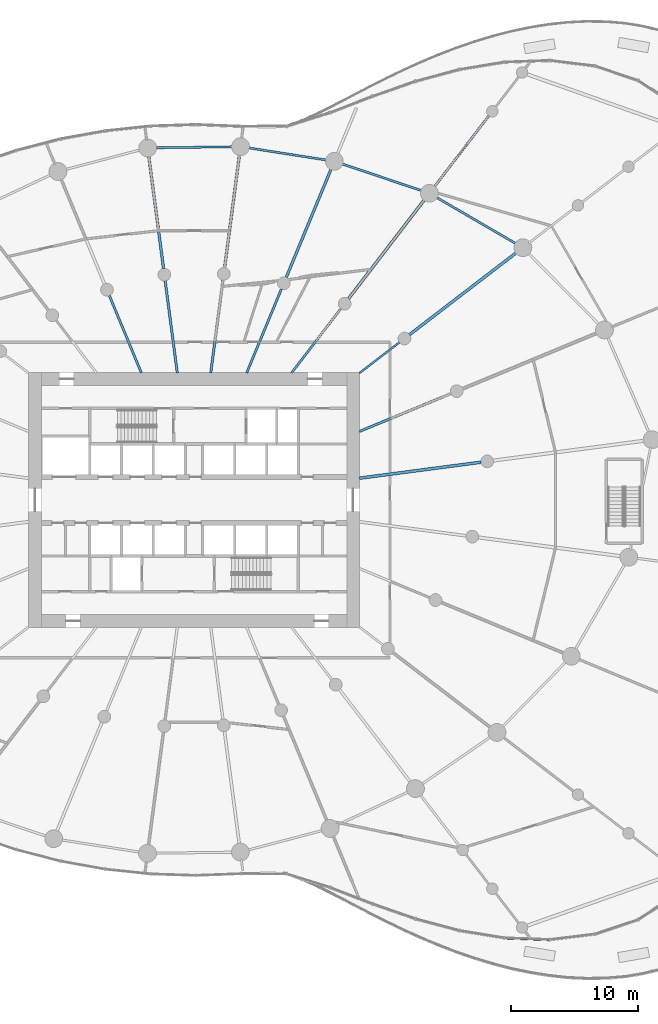
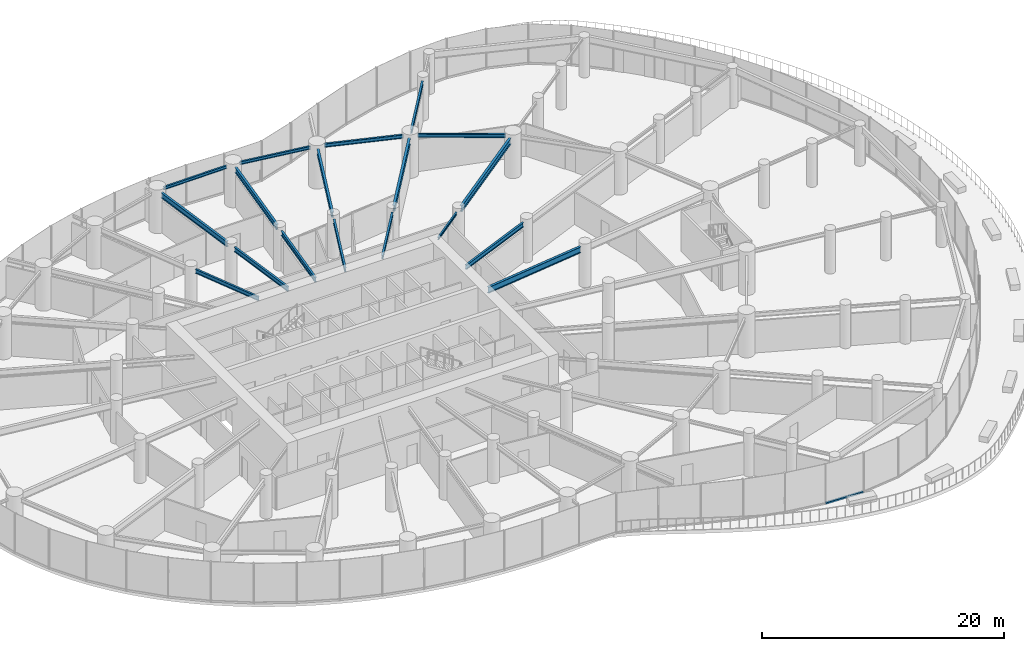
# One storey, part 6 of 24: 18 beams, 1 member, 1 element without a shape of its own.
"""IFC4 building model written with IfcOpenShell, lengths in metres."""

from ifc_helpers import new_model, si_unit, direction, frame, origin, origin_2d, place, context, subcontext, project, spatial, rectangle, i_section, extrude, source, transform, mapped, material, layer, layer_set, material_profile, profile_set, type_object, element, aggregate, save


model = new_model("IFC4")

# Units and contexts
model_context = context("Model", 3, precision=1e-05, world=origin(), true_north=direction((0.0, 1.0)))
body_context = subcontext(model_context, "Body", "Model", "MODEL_VIEW")
ifc_project = project(units=[si_unit("LENGTHUNIT", "METRE"), si_unit("AREAUNIT", "SQUARE_METRE"), si_unit("VOLUMEUNIT", "CUBIC_METRE"), si_unit("PLANEANGLEUNIT", "RADIAN"), si_unit("MASSUNIT", "GRAM", prefix="KILO")], contexts=[model_context])

# Site, building, storey
site_placement = place(None, origin())
site = spatial("IfcSite", under=ifc_project, at=site_placement, CompositionType="ELEMENT")
building_placement = place(site_placement, origin())
building = spatial("IfcBuilding", under=site, at=building_placement, Name="Spindrift Exchange Tower", CompositionType="ELEMENT")
storey_placement = place(building_placement, frame((0.0, 0.0, 5.0)))
storey = spatial("IfcBuildingStorey", under=building, at=storey_placement, Name="L01", CompositionType="ELEMENT", Elevation=5.0)

# Beams
ifc_material_1 = material(Name="Steel Grade 300", Category="steel")
ifc_material_profile_1 = material_profile(ifc_material_1, i_section(OverallWidth=0.22802734375, OverallDepth=0.60693359375, WebThickness=0.01123046875, FlangeThickness=0.017333984375, FilletRadius=0.013916015625, at=origin_2d()), Name="610UB113")
ifc_profile_set_1 = profile_set([ifc_material_profile_1], Name="Steel Grade 300")
beam_type_1 = type_object("IfcBeamType", Name="Floor Beam 610UB113 Steel Grade 300", PredefinedType="BEAM", material=ifc_profile_set_1)
shared_shape_1 = source(origin(), body_context, "Body", "SweptSolid", [
    extrude(i_section(OverallWidth=0.22802734375, OverallDepth=0.60693359375, WebThickness=0.01123046875, FlangeThickness=0.017333984375, FilletRadius=0.013916015625, at=origin_2d()), origin(), (0.0, 0.0, 1.0), 9.660400390625),
])
beam_1_placement = place(storey_placement, frame((64.980224609375, 49.708984375, 3.74658203125), z_axis=(0.99144767089, 0.130504850054, 0.0), x_axis=(-0.130504850054, 0.99144767089, 0.0)))
element("IfcBeam", 1, at=beam_1_placement, inside=storey, type_object=beam_type_1, Name="L01 radial beam R01A", PredefinedType="BEAM", context=body_context, shape_type="MappedRepresentation", body=[
    mapped(shared_shape_1, transform((0.0, 0.0, 0.0), scale=1.0)),
])
ifc_material_profile_2 = material_profile(ifc_material_1, i_section(OverallWidth=0.18994140625, OverallDepth=0.45703125, WebThickness=0.009033203125, FlangeThickness=0.014404296875, FilletRadius=0.013916015625, at=origin_2d()), Name="460UB74.6")
ifc_profile_set_2 = profile_set([ifc_material_profile_2], Name="Steel Grade 300")
beam_type_2 = type_object("IfcBeamType", Name="Floor Beam 460UB74.6 Steel Grade 300", PredefinedType="BEAM", material=ifc_profile_set_2)
shared_shape_2 = source(origin(), body_context, "Body", "SweptSolid", [
    extrude(i_section(OverallWidth=0.18994140625, OverallDepth=0.45703125, WebThickness=0.009033203125, FlangeThickness=0.014404296875, FilletRadius=0.013916015625, at=origin_2d()), origin(), (0.0, 0.0, 1.0), 7.808837890625),
])
beam_2_placement = place(storey_placement, frame((64.9814453125, 53.377197265625, 3.821533203125), z_axis=(0.92387965154, 0.382683145003, 0.0), x_axis=(-0.382683145003, 0.92387965154, 0.0)))
element("IfcBeam", 2, at=beam_2_placement, inside=storey, type_object=beam_type_2, Name="L01 radial beam R02A", PredefinedType="BEAM", context=body_context, shape_type="MappedRepresentation", body=[
    mapped(shared_shape_2, transform((0.0, 0.0, 0.0), scale=1.0)),
])
ifc_material_profile_3 = material_profile(ifc_material_1, i_section(OverallWidth=0.14599609375, OverallDepth=0.251953125, WebThickness=0.006103515625, FlangeThickness=0.008544921875, FilletRadius=0.011962890625, at=origin_2d()), Name="250UB31.4")
ifc_profile_set_3 = profile_set([ifc_material_profile_3], Name="Steel Grade 300")
beam_type_3 = type_object("IfcBeamType", Name="Floor Beam 250UB31.4 Steel Grade 300", PredefinedType="BEAM", material=ifc_profile_set_3)
shared_shape_3 = source(origin(), body_context, "Body", "SweptSolid", [
    extrude(i_section(OverallWidth=0.14599609375, OverallDepth=0.251953125, WebThickness=0.006103515625, FlangeThickness=0.008544921875, FilletRadius=0.011962890625, at=origin_2d()), origin(), (0.0, 0.0, 1.0), 3.99560546875),
])
beam_3_placement = place(storey_placement, frame((64.984130859375, 57.963134765625, 3.924072265625), z_axis=(0.793352561574, 0.608762443851, 0.0), x_axis=(-0.608762443851, 0.793352561574, 0.0)))
element("IfcBeam", 3, at=beam_3_placement, inside=storey, type_object=beam_type_3, Name="L01 radial beam R03A", PredefinedType="BEAM", context=body_context, shape_type="MappedRepresentation", body=[
    mapped(shared_shape_3, transform((0.0, 0.0, 0.0), scale=1.0)),
])
shared_shape_4 = source(origin(), body_context, "Body", "SweptSolid", [
    extrude(i_section(OverallWidth=0.22802734375, OverallDepth=0.60693359375, WebThickness=0.01123046875, FlangeThickness=0.017333984375, FilletRadius=0.013916015625, at=origin_2d()), origin(), (0.0, 0.0, 1.0), 10.66357421875),
])
beam_4_placement = place(storey_placement, frame((68.91552734375, 60.979736328125, 3.74658203125), z_axis=(0.793357926757, 0.608755451764, 0.0), x_axis=(-0.608755451764, 0.793357926757, 0.0)))
element("IfcBeam", 4, at=beam_4_placement, inside=storey, type_object=beam_type_1, Name="L01 radial beam R03B", PredefinedType="BEAM", context=body_context, shape_type="MappedRepresentation", body=[
    mapped(shared_shape_4, transform((0.0, 0.0, 0.0), scale=1.0)),
])
ifc_material_profile_4 = material_profile(ifc_material_1, i_section(OverallWidth=0.172119140625, OverallDepth=0.35888671875, WebThickness=0.008056640625, FlangeThickness=0.012939453125, FilletRadius=0.013916015625, at=origin_2d()), Name="360UB56.7")
ifc_profile_set_4 = profile_set([ifc_material_profile_4], Name="Steel Grade 300")
beam_type_4 = type_object("IfcBeamType", Name="Floor Beam 360UB56.7 Steel Grade 300", PredefinedType="BEAM", material=ifc_profile_set_4)
shared_shape_5 = source(origin(), body_context, "Body", "SweptSolid", [
    extrude(i_section(OverallWidth=0.172119140625, OverallDepth=0.35888671875, WebThickness=0.008056640625, FlangeThickness=0.012939453125, FilletRadius=0.013916015625, at=origin_2d()), origin(), (0.0, 0.0, 1.0), 6.37646484375),
])
beam_5_placement = place(storey_placement, frame((59.6611328125, 57.984130859375, 3.87060546875), z_axis=(0.608766669952, 0.793349318747, 0.0), x_axis=(-0.793349318747, 0.608766669952, 0.0)))
element("IfcBeam", 5, at=beam_5_placement, inside=storey, type_object=beam_type_4, Name="L01 radial beam R04A", PredefinedType="BEAM", context=body_context, shape_type="MappedRepresentation", body=[
    mapped(shared_shape_5, transform((0.0, 0.0, 0.0), scale=1.0)),
])
shared_shape_6 = source(origin(), body_context, "Body", "SweptSolid", [
    extrude(i_section(OverallWidth=0.22802734375, OverallDepth=0.60693359375, WebThickness=0.01123046875, FlangeThickness=0.017333984375, FilletRadius=0.013916015625, at=origin_2d()), origin(), (0.0, 0.0, 1.0), 9.87548828125),
])
beam_6_placement = place(storey_placement, frame((64.127197265625, 63.8046875, 3.74658203125), z_axis=(0.608772470836, 0.793344867477, 0.0), x_axis=(-0.793344867477, 0.608772470836, 0.0)))
element("IfcBeam", 6, at=beam_6_placement, inside=storey, type_object=beam_type_1, Name="L01 radial beam R04B", PredefinedType="BEAM", context=body_context, shape_type="MappedRepresentation", body=[
    mapped(shared_shape_6, transform((0.0, 0.0, 0.0), scale=1.0)),
])
ifc_material_profile_5 = material_profile(ifc_material_1, i_section(OverallWidth=0.177978515625, OverallDepth=0.406005859375, WebThickness=0.0078125, FlangeThickness=0.0126953125, FilletRadius=0.013916015625, at=origin_2d()), Name="410UB59.7")
ifc_profile_set_5 = profile_set([ifc_material_profile_5], Name="Steel Grade 300")
beam_type_5 = type_object("IfcBeamType", Name="Floor Beam 410UB59.7 Steel Grade 300", PredefinedType="BEAM", material=ifc_profile_set_5)
shared_shape_7 = source(origin(), body_context, "Body", "SweptSolid", [
    extrude(i_section(OverallWidth=0.177978515625, OverallDepth=0.406005859375, WebThickness=0.0078125, FlangeThickness=0.0126953125, FilletRadius=0.013916015625, at=origin_2d()), origin(), (0.0, 0.0, 1.0), 7.111328125),
])
beam_7_placement = place(storey_placement, frame((70.845458984375, 72.559814453125, 3.846923828125), z_axis=(0.608757985395, 0.793355982657, 0.0), x_axis=(-0.793355982657, 0.608757985395, 0.0)))
element("IfcBeam", 7, at=beam_7_placement, inside=storey, type_object=beam_type_5, Name="L01 radial beam R04C1", PredefinedType="BEAM", context=body_context, shape_type="MappedRepresentation", body=[
    mapped(shared_shape_7, transform((0.0, 0.0, 0.0), scale=1.0)),
])
shared_shape_8 = source(origin(), body_context, "Body", "SweptSolid", [
    extrude(i_section(OverallWidth=0.177978515625, OverallDepth=0.406005859375, WebThickness=0.0078125, FlangeThickness=0.0126953125, FilletRadius=0.013916015625, at=origin_2d()), origin(), (0.0, 0.0, 1.0), 7.150634765625),
])
beam_8_placement = place(storey_placement, frame((56.134521484375, 57.9814453125, 3.846923828125), z_axis=(0.382665393358, 0.923887004306, 0.0), x_axis=(-0.923887004306, 0.382665393358, 0.0)))
element("IfcBeam", 8, at=beam_8_placement, inside=storey, type_object=beam_type_5, Name="L01 radial beam R05A", PredefinedType="BEAM", context=body_context, shape_type="MappedRepresentation", body=[
    mapped(shared_shape_8, transform((0.0, 0.0, 0.0), scale=1.0)),
])
ifc_material_profile_6 = material_profile(ifc_material_1, i_section(OverallWidth=0.208984375, OverallDepth=0.532958984375, WebThickness=0.01025390625, FlangeThickness=0.015625, FilletRadius=0.013916015625, at=origin_2d()), Name="530UB92.4")
ifc_profile_set_6 = profile_set([ifc_material_profile_6], Name="Steel Grade 300")
beam_type_6 = type_object("IfcBeamType", Name="Floor Beam 530UB92.4 Steel Grade 300", PredefinedType="BEAM", material=ifc_profile_set_6)
shared_shape_9 = source(origin(), body_context, "Body", "SweptSolid", [
    extrude(i_section(OverallWidth=0.208984375, OverallDepth=0.532958984375, WebThickness=0.01025390625, FlangeThickness=0.015625, FilletRadius=0.013916015625, at=origin_2d()), origin(), (0.0, 0.0, 1.0), 9.309326171875),
])
beam_9_placement = place(storey_placement, frame((59.23828125, 65.474853515625, 3.783447265625), z_axis=(0.382685326691, 0.923878747853, 0.0), x_axis=(-0.923878747853, 0.382685326691, 0.0)))
element("IfcBeam", 9, at=beam_9_placement, inside=storey, type_object=beam_type_6, Name="L01 radial beam R05B", PredefinedType="BEAM", context=body_context, shape_type="MappedRepresentation", body=[
    mapped(shared_shape_9, transform((0.0, 0.0, 0.0), scale=1.0)),
])
shared_shape_10 = source(origin(), body_context, "Body", "SweptSolid", [
    extrude(i_section(OverallWidth=0.18994140625, OverallDepth=0.45703125, WebThickness=0.009033203125, FlangeThickness=0.014404296875, FilletRadius=0.013916015625, at=origin_2d()), origin(), (0.0, 0.0, 1.0), 7.374267578125),
])
beam_10_placement = place(storey_placement, frame((53.31396484375, 57.980224609375, 3.821533203125), z_axis=(0.130539295622, 0.99144313619, 0.0), x_axis=(-0.99144313619, 0.130539295622, 0.0)))
element("IfcBeam", 10, at=beam_10_placement, inside=storey, type_object=beam_type_2, Name="L01 radial beam R06A", PredefinedType="BEAM", context=body_context, shape_type="MappedRepresentation", body=[
    mapped(shared_shape_10, transform((0.0, 0.0, 0.0), scale=1.0)),
])
shared_shape_11 = source(origin(), body_context, "Body", "SweptSolid", [
    extrude(i_section(OverallWidth=0.208984375, OverallDepth=0.532958984375, WebThickness=0.01025390625, FlangeThickness=0.015625, FilletRadius=0.013916015625, at=origin_2d()), origin(), (0.0, 0.0, 1.0), 9.020263671875),
])
beam_11_placement = place(storey_placement, frame((54.40185546875, 66.2431640625, 3.783447265625), z_axis=(0.13051122338, 0.991446831944, 0.0), x_axis=(-0.991446831944, 0.13051122338, 0.0)))
element("IfcBeam", 11, at=beam_11_placement, inside=storey, type_object=beam_type_6, Name="L01 radial beam R06B", PredefinedType="BEAM", context=body_context, shape_type="MappedRepresentation", body=[
    mapped(shared_shape_11, transform((0.0, 0.0, 0.0), scale=1.0)),
])
shared_shape_12 = source(origin(), body_context, "Body", "SweptSolid", [
    extrude(i_section(OverallWidth=0.18994140625, OverallDepth=0.45703125, WebThickness=0.009033203125, FlangeThickness=0.014404296875, FilletRadius=0.013916015625, at=origin_2d()), origin(), (0.0, 0.0, 1.0), 7.3095703125),
])
beam_12_placement = place(storey_placement, frame((50.68603515625, 57.980224609375, 3.821533203125), z_axis=(-0.130527087244, 0.991444743541, 0.0), x_axis=(-0.991444743541, -0.130527087244, 0.0)))
element("IfcBeam", 12, at=beam_12_placement, inside=storey, type_object=beam_type_2, Name="L01 radial beam R07A", PredefinedType="BEAM", context=body_context, shape_type="MappedRepresentation", body=[
    mapped(shared_shape_12, transform((0.0, 0.0, 0.0), scale=1.0)),
])
shared_shape_13 = source(origin(), body_context, "Body", "SweptSolid", [
    extrude(i_section(OverallWidth=0.208984375, OverallDepth=0.532958984375, WebThickness=0.01025390625, FlangeThickness=0.015625, FilletRadius=0.013916015625, at=origin_2d()), origin(), (0.0, 0.0, 1.0), 8.98388671875),
])
beam_13_placement = place(storey_placement, frame((49.606689453125, 66.17919921875, 3.783447265625), z_axis=(-0.130524106785, 0.991445135924, 0.0), x_axis=(-0.991445135924, -0.130524106785, 0.0)))
element("IfcBeam", 13, at=beam_13_placement, inside=storey, type_object=beam_type_6, Name="L01 radial beam R07B", PredefinedType="BEAM", context=body_context, shape_type="MappedRepresentation", body=[
    mapped(shared_shape_13, transform((0.0, 0.0, 0.0), scale=1.0)),
])
shared_shape_14 = source(origin(), body_context, "Body", "SweptSolid", [
    extrude(i_section(OverallWidth=0.177978515625, OverallDepth=0.406005859375, WebThickness=0.0078125, FlangeThickness=0.0126953125, FilletRadius=0.013916015625, at=origin_2d()), origin(), (0.0, 0.0, 1.0), 6.594482421875),
])
beam_14_placement = place(storey_placement, frame((47.865478515625, 57.9814453125, 3.846923828125), z_axis=(-0.382692929746, 0.92387559851, 0.0), x_axis=(-0.92387559851, -0.382692929746, 0.0)))
element("IfcBeam", 14, at=beam_14_placement, inside=storey, type_object=beam_type_5, Name="L01 radial beam R08A", PredefinedType="BEAM", context=body_context, shape_type="MappedRepresentation", body=[
    mapped(shared_shape_14, transform((0.0, 0.0, 0.0), scale=1.0)),
])
ifc_material_profile_7 = material_profile(ifc_material_1, i_section(OverallWidth=0.172119140625, OverallDepth=0.35888671875, WebThickness=0.008056640625, FlangeThickness=0.012939453125, FilletRadius=0.013916015625, at=origin_2d()), Name="360UB56.7")
ifc_profile_set_7 = profile_set([ifc_material_profile_7], Name="Steel Grade 300")
beam_type_7 = type_object("IfcBeamType", Name="Edge Beam 360UB56.7 Steel Grade 300", PredefinedType="SPANDREL", material=ifc_profile_set_7)
shared_shape_15 = source(origin(), body_context, "Body", "SweptSolid", [
    extrude(i_section(OverallWidth=0.172119140625, OverallDepth=0.35888671875, WebThickness=0.008056640625, FlangeThickness=0.012939453125, FilletRadius=0.013916015625, at=origin_2d()), origin(), (0.0, 0.0, 1.0), 7.33740234375),
])
beam_15_placement = place(storey_placement, frame((77.33447265625, 68.1162109375, 3.87060546875), z_axis=(-0.864211826308, 0.503128134047, 0.0), x_axis=(-0.503128134047, -0.864211826308, 0.0)))
element("IfcBeam", 15, at=beam_15_placement, inside=storey, type_object=beam_type_7, Name="L01 edge beam E03", PredefinedType="SPANDREL", context=body_context, shape_type="MappedRepresentation", body=[
    mapped(shared_shape_15, transform((0.0, 0.0, 0.0), scale=1.0)),
])
shared_shape_16 = source(origin(), body_context, "Body", "SweptSolid", [
    extrude(i_section(OverallWidth=0.172119140625, OverallDepth=0.35888671875, WebThickness=0.008056640625, FlangeThickness=0.012939453125, FilletRadius=0.013916015625, at=origin_2d()), origin(), (0.0, 0.0, 1.0), 6.72021484375),
])
beam_16_placement = place(storey_placement, frame((69.9423828125, 72.28466796875, 3.87060546875), z_axis=(-0.947851749681, 0.318711563372, 0.0), x_axis=(-0.318711563372, -0.947851749681, 0.0)))
element("IfcBeam", 16, at=beam_16_placement, inside=storey, type_object=beam_type_7, Name="L01 edge beam E04", PredefinedType="SPANDREL", context=body_context, shape_type="MappedRepresentation", body=[
    mapped(shared_shape_16, transform((0.0, 0.0, 0.0), scale=1.0)),
])
ifc_material_profile_8 = material_profile(ifc_material_1, i_section(OverallWidth=0.1650390625, OverallDepth=0.303955078125, WebThickness=0.006103515625, FlangeThickness=0.01025390625, FilletRadius=0.011474609375, at=origin_2d()), Name="310UB40.4")
ifc_profile_set_8 = profile_set([ifc_material_profile_8], Name="Steel Grade 300")
beam_type_8 = type_object("IfcBeamType", Name="Edge Beam 310UB40.4 Steel Grade 300", PredefinedType="SPANDREL", material=ifc_profile_set_8)
shared_shape_17 = source(origin(), body_context, "Body", "SweptSolid", [
    extrude(i_section(OverallWidth=0.1650390625, OverallDepth=0.303955078125, WebThickness=0.006103515625, FlangeThickness=0.01025390625, FilletRadius=0.011474609375, at=origin_2d()), origin(), (0.0, 0.0, 1.0), 6.297119140625),
])
beam_17_placement = place(storey_placement, frame((62.44970703125, 74.70068359375, 3.89794921875), z_axis=(-0.98802902915, 0.154268070436, 0.0), x_axis=(-0.154268070436, -0.98802902915, 0.0)))
element("IfcBeam", 17, at=beam_17_placement, inside=storey, type_object=beam_type_8, Name="L01 edge beam E05", PredefinedType="SPANDREL", context=body_context, shape_type="MappedRepresentation", body=[
    mapped(shared_shape_17, transform((0.0, 0.0, 0.0), scale=1.0)),
])
shared_shape_18 = source(origin(), body_context, "Body", "SweptSolid", [
    extrude(i_section(OverallWidth=0.1650390625, OverallDepth=0.303955078125, WebThickness=0.006103515625, FlangeThickness=0.01025390625, FilletRadius=0.011474609375, at=origin_2d()), origin(), (0.0, 0.0, 1.0), 6.13720703125),
])
beam_18_placement = place(storey_placement, frame((55.074951171875, 75.75341796875, 3.89794921875), z_axis=(-0.999905820907, -0.013724041543, 0.0), x_axis=(0.013724041543, -0.999905820907, 0.0)))
element("IfcBeam", 18, at=beam_18_placement, inside=storey, type_object=beam_type_8, Name="L01 edge beam E06", PredefinedType="SPANDREL", context=body_context, shape_type="MappedRepresentation", body=[
    mapped(shared_shape_18, transform((0.0, 0.0, 0.0), scale=1.0)),
])

# Curtain wall, member
ifc_material_2 = material(Name="Fritted laminated glass with bronze frame", Category="glass")
ifc_layer = layer(ifc_material_2, 0.219970703125)
ifc_layer_set = layer_set([ifc_layer], Name="PODIUM BRONZE GLAZED WALL")
curtain_wall_type = type_object("IfcCurtainWallType", Name="PODIUM BRONZE GLAZED WALL", PredefinedType="NOTDEFINED", material=ifc_layer_set)
curtain_wall_placement = place(storey_placement, origin())
curtain_wall = element("IfcCurtainWall", 19, at=curtain_wall_placement, inside=storey, type_object=curtain_wall_type, Name="L01 Podium Bronze Glazed Wall run 10", PredefinedType="NOTDEFINED")
ifc_material_3 = material(Name="Bronze anodised aluminium", Category="aluminium")
ifc_material_profile_9 = material_profile(ifc_material_3, rectangle(XDim=0.199951171875, YDim=0.159912109375, at=origin_2d()), Name="PODIUM BRONZE GLAZED WALL TRANSOM 200X160")
ifc_profile_set_9 = profile_set([ifc_material_profile_9], Name="Bronze anodised aluminium")
member_type = type_object("IfcMemberType", Name="PODIUM BRONZE GLAZED WALL TRANSOM 200X160", PredefinedType="USERDEFINED", material=ifc_profile_set_9)
shared_shape_19 = source(origin(), body_context, "Body", "SweptSolid", [
    extrude(rectangle(XDim=0.199951171875, YDim=0.159912109375, at=origin_2d()), origin(), (0.0, 0.0, 1.0), 3.484619140625),
])
member_placement = place(storey_placement, frame((76.435791015625, 13.5947265625, 0.080078125), z_axis=(0.999305105878, -0.037273386828, 0.0), x_axis=(0.037273386828, 0.999305105878, 0.0)))
member = element("IfcMember", 20, at=member_placement, type_object=member_type, Name="L01 transom CW-P.59", ObjectType="TRANSOM", PredefinedType="USERDEFINED", context=body_context, shape_type="MappedRepresentation", body=[
    mapped(shared_shape_19, transform((0.0, 0.0, 0.0), scale=1.0)),
])
aggregate(curtain_wall, [member])

save(model, "model.ifc")
